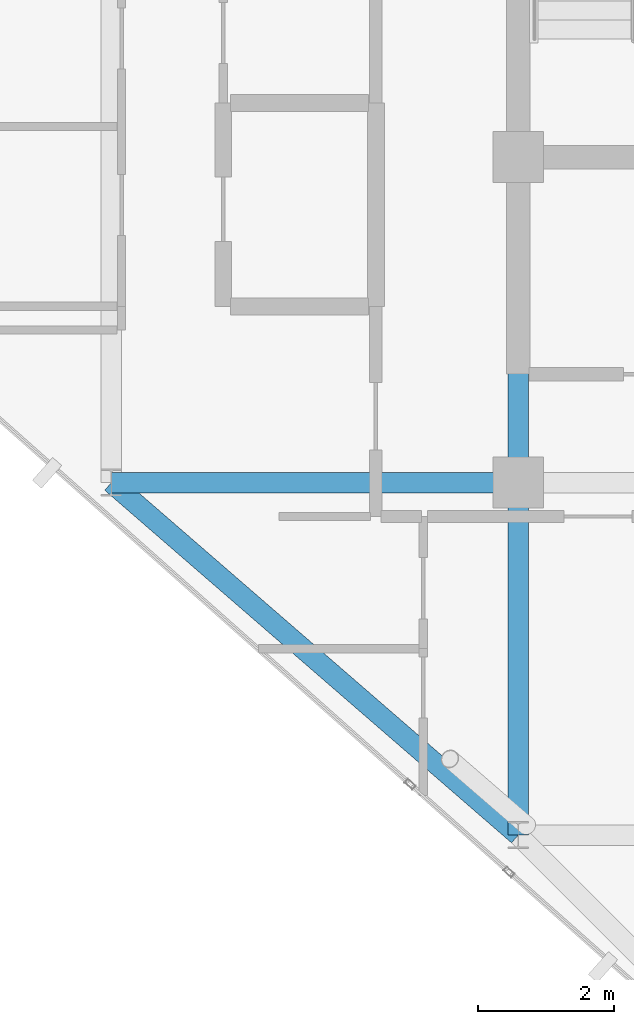
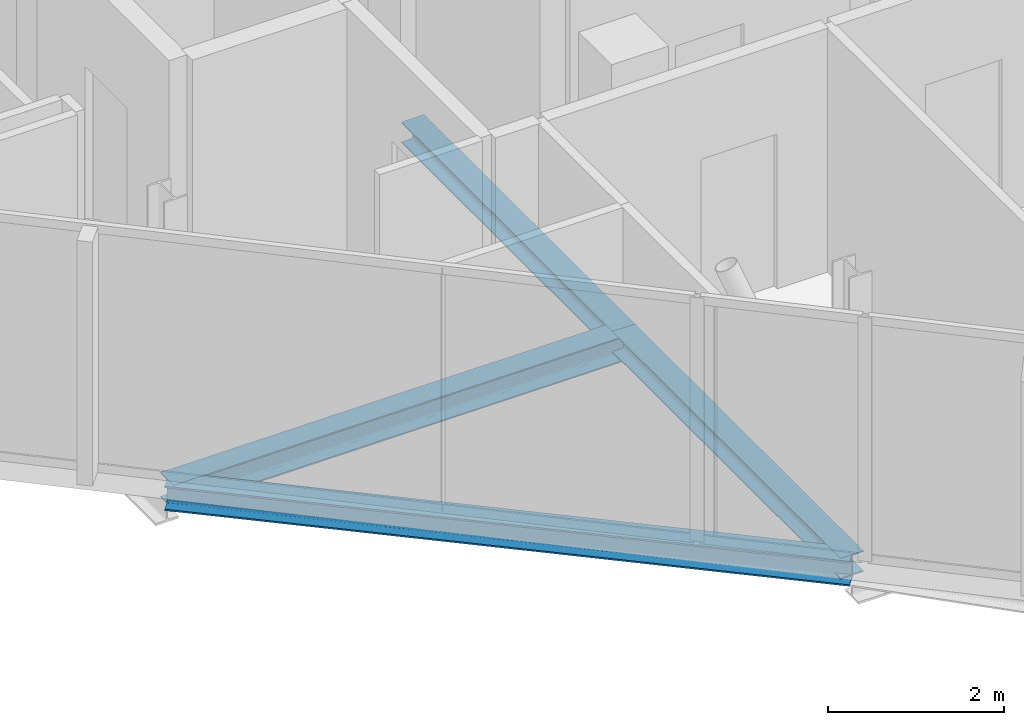
# One storey, part 5 of 28: 4 beams.
"""IFC4 building model written with IfcOpenShell, lengths in metres."""

from ifc_helpers import new_model, si_unit, direction, frame, origin, origin_2d, place, context, subcontext, project, spatial, i_section, extrude, material, material_profile, profile_set, type_object, element, save


model = new_model("IFC4")

# Units and contexts
model_context = context("Model", 3, precision=1e-05, world=origin(), true_north=direction((0.0, 1.0)))
body_context = subcontext(model_context, "Body", "Model", "MODEL_VIEW")
ifc_project = project(units=[si_unit("LENGTHUNIT", "METRE"), si_unit("AREAUNIT", "SQUARE_METRE"), si_unit("VOLUMEUNIT", "CUBIC_METRE"), si_unit("PLANEANGLEUNIT", "RADIAN"), si_unit("MASSUNIT", "GRAM", prefix="KILO")], contexts=[model_context])

# Site, building, storey
site_placement = place(None, origin())
site = spatial("IfcSite", under=ifc_project, at=site_placement, CompositionType="ELEMENT")
building_placement = place(site_placement, origin())
building = spatial("IfcBuilding", under=site, at=building_placement, Name="Keshet Zoharim Tower", CompositionType="ELEMENT")
storey_placement = place(building_placement, frame((0.0, 0.0, 258.39990234375)))
storey = spatial("IfcBuildingStorey", under=building, at=storey_placement, Name="L64", CompositionType="ELEMENT", Elevation=258.39990234375)

# Beams
ifc_material = material(Name="Steel S355", Category="steel")
ifc_material_profile_1 = material_profile(ifc_material, i_section(OverallWidth=0.300048828125, OverallDepth=0.2900390625, WebThickness=0.008544921875, FlangeThickness=0.013916015625, FilletRadius=0.027099609375, at=origin_2d()), Name="HEA300")
ifc_profile_set_1 = profile_set([ifc_material_profile_1], Name="Steel S355")
beam_type_1 = type_object("IfcBeamType", Name="BM-PRI-HA300", PredefinedType="BEAM", material=ifc_profile_set_1)
beam_1_placement = place(storey_placement, frame((15.0, 12.699951171875, -0.454833984375), z_axis=(0.0, 1.0, 0.0), x_axis=(-1.0, 0.0, 0.0)))
element("IfcBeam", 1, at=beam_1_placement, inside=storey, type_object=beam_type_1, Name="L64 Primary Girder Y-002", PredefinedType="BEAM", context=body_context, shape_type="SweptSolid", body=[
    extrude(i_section(OverallWidth=0.300048828125, OverallDepth=0.2900390625, WebThickness=0.008544921875, FlangeThickness=0.013916015625, FilletRadius=0.027099609375, at=origin_2d()), origin(), (0.0, 0.0, 1.0), 5.199951171875),
])
beam_2_placement = place(storey_placement, frame((15.0, 17.89990234375, -0.454833984375), z_axis=(0.0, 1.0, 0.0), x_axis=(-1.0, 0.0, 0.0)))
element("IfcBeam", 2, at=beam_2_placement, inside=storey, type_object=beam_type_1, Name="L64 Primary Girder Y-003", PredefinedType="BEAM", context=body_context, shape_type="SweptSolid", body=[
    extrude(i_section(OverallWidth=0.300048828125, OverallDepth=0.2900390625, WebThickness=0.008544921875, FlangeThickness=0.013916015625, FilletRadius=0.027099609375, at=origin_2d()), origin(), (0.0, 0.0, 1.0), 4.800048828125),
])
ifc_material_profile_2 = material_profile(ifc_material, i_section(OverallWidth=0.300048828125, OverallDepth=0.35009765625, WebThickness=0.010009765625, FlangeThickness=0.017578125, FilletRadius=0.027099609375, at=origin_2d()), Name="HEA360")
ifc_profile_set_2 = profile_set([ifc_material_profile_2], Name="Steel S355")
beam_type_2 = type_object("IfcBeamType", Name="BM-PRI-HA360", PredefinedType="BEAM", material=ifc_profile_set_2)
beam_3_placement = place(storey_placement, frame((9.0, 17.89990234375, -0.48486328125), z_axis=(1.0, 0.0, 0.0), x_axis=(0.0, 1.0, 0.0)))
element("IfcBeam", 3, at=beam_3_placement, inside=storey, type_object=beam_type_2, Name="L64 Primary Girder X-005", PredefinedType="BEAM", context=body_context, shape_type="SweptSolid", body=[
    extrude(i_section(OverallWidth=0.300048828125, OverallDepth=0.35009765625, WebThickness=0.010009765625, FlangeThickness=0.017578125, FilletRadius=0.027099609375, at=origin_2d()), origin(), (0.0, 0.0, 1.0), 6.0),
])
ifc_material_profile_3 = material_profile(ifc_material, i_section(OverallWidth=0.300048828125, OverallDepth=0.340087890625, WebThickness=0.011962890625, FlangeThickness=0.021484375, FilletRadius=0.027099609375, at=origin_2d()), Name="HEB340")
ifc_profile_set_3 = profile_set([ifc_material_profile_3], Name="Steel S355")
beam_type_3 = type_object("IfcBeamType", Name="BM-SPN-HB340", PredefinedType="SPANDREL", material=ifc_profile_set_3)
beam_4_placement = place(storey_placement, frame((9.0, 17.89990234375, -0.47998046875), z_axis=(0.755692126483, -0.654927026447, 0.0), x_axis=(0.654927026447, 0.755692126483, 0.0)))
element("IfcBeam", 4, at=beam_4_placement, inside=storey, type_object=beam_type_3, Name="L64 Perimeter Spandrel Beam 02", PredefinedType="SPANDREL", context=body_context, shape_type="SweptSolid", body=[
    extrude(i_section(OverallWidth=0.300048828125, OverallDepth=0.340087890625, WebThickness=0.011962890625, FlangeThickness=0.021484375, FilletRadius=0.027099609375, at=origin_2d()), origin(), (0.0, 0.0, 1.0), 7.939697265625),
])

save(model, "model.ifc")
